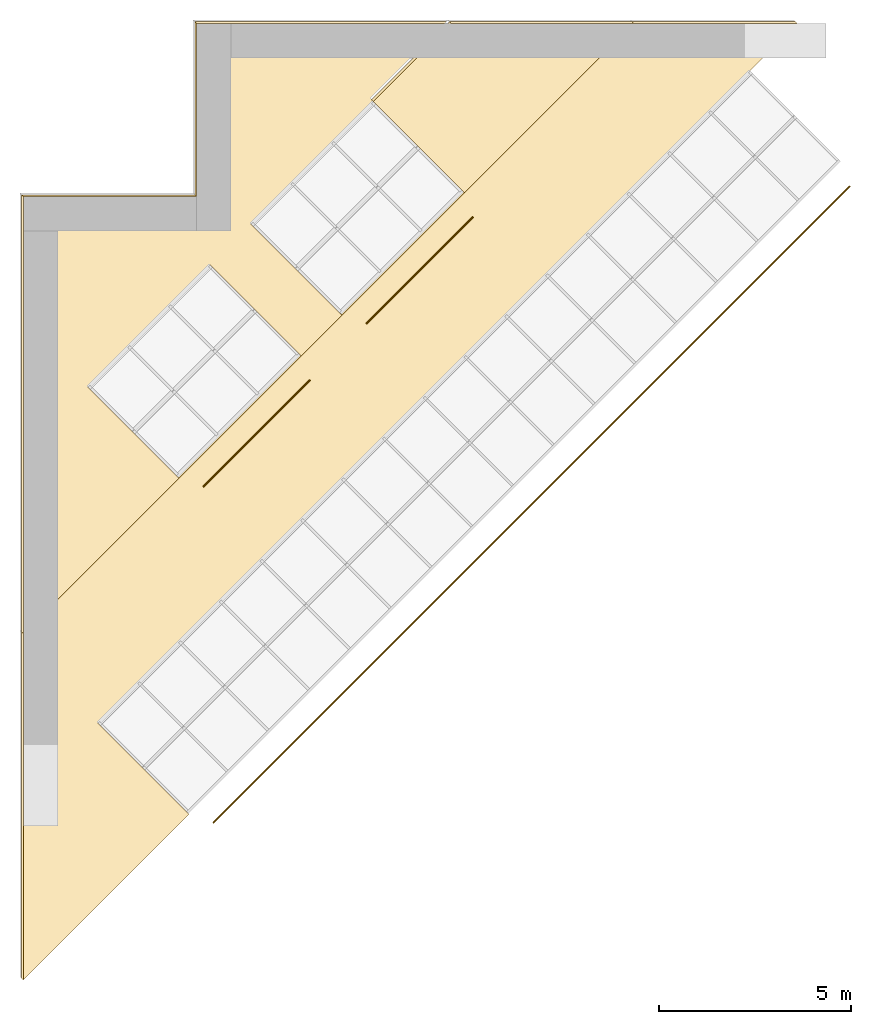
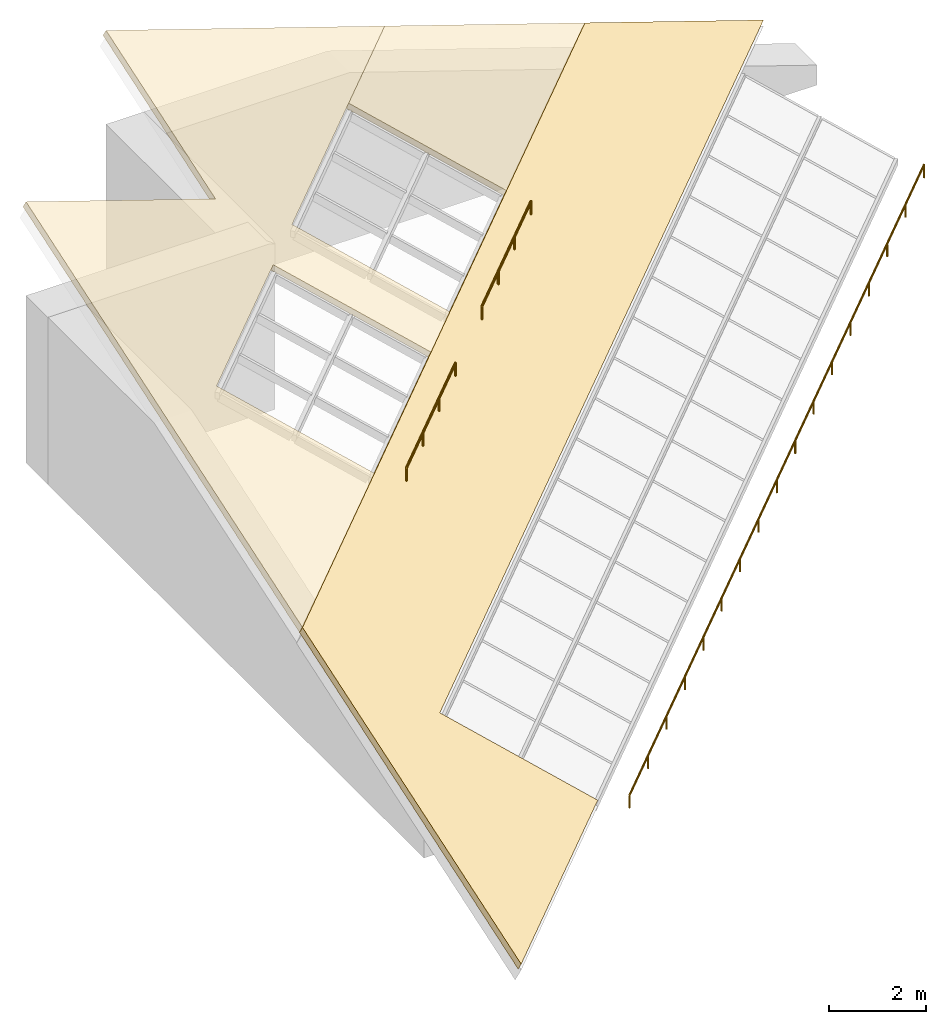
# One storey, part 3 of 3: 3 coverings, 3 railings.
"""IFC4 building model written with IfcOpenShell, lengths in metres."""

from ifc_helpers import new_model, si_unit, direction, frame, origin, origin_2d, place, context, subcontext, project, spatial, polyline, circle, outline, extrude, material, layer, layer_set, type_object, element, save


model = new_model("IFC4")

# Units and contexts
model_context = context("Model", 3, precision=1e-05, world=origin(), true_north=direction((0.0, 1.0)))
body_context = subcontext(model_context, "Body", "Model", "MODEL_VIEW")
ifc_project = project(units=[si_unit("LENGTHUNIT", "METRE"), si_unit("AREAUNIT", "SQUARE_METRE"), si_unit("VOLUMEUNIT", "CUBIC_METRE"), si_unit("PLANEANGLEUNIT", "RADIAN"), si_unit("MASSUNIT", "GRAM", prefix="KILO")], contexts=[model_context])

# Site, building, storey
site_placement = place(None, origin())
site = spatial("IfcSite", under=ifc_project, at=site_placement, CompositionType="ELEMENT")
building_placement = place(site_placement, origin())
building = spatial("IfcBuilding", under=site, at=building_placement, Name="Hunhe Ridgeline Campus", CompositionType="ELEMENT")
storey_placement = place(building_placement, frame((0.0, 0.0, 328.199951171875)))
storey = spatial("IfcBuildingStorey", under=building, at=storey_placement, Name="L84 Crown", CompositionType="ELEMENT", Elevation=328.199951171875)

# Coverings
ifc_material_1 = material(Name="Bituminous roofing membrane on mineral wool")
ifc_layer = layer(ifc_material_1, 0.14990234375)
ifc_layer_set = layer_set([ifc_layer], Name="Roof insulation and membrane 150")
covering_type = type_object("IfcCoveringType", Name="Roof insulation and membrane 150", PredefinedType="ROOFING", material=ifc_layer_set)
covering_1_placement = place(storey_placement, frame((4.30517578125, 78.426513671875, -0.23486328125), z_axis=(0.301524476923, -0.301520844475, 0.904526489476), x_axis=(-0.639596814405, 0.639596814541, 0.426417436125)))
element("IfcCovering", 1, at=covering_1_placement, inside=storey, type_object=covering_type, Name="Roof insulation and membrane 10", PredefinedType="ROOFING", context=body_context, shape_type="SweptSolid", body=[
    extrude(outline(polyline([(0.0, 0.0), (3.7189367125139263, 2.9720014426901087e-16), (3.7189367149914503, -25.731367175065824), (7.035623640822651, -22.731342359420218), (7.035623638660509, -0.27552305207638894), (-5.86220405551785e-10, 6.088437978223851), (0.0, 0.0)])), origin(), (0.0, 0.0, -1.0), 0.14990234375),
])
covering_2_placement = place(storey_placement, frame((11.121337890625, 99.0, 4.35107421875), z_axis=(0.301536663699, -0.301536663699, 0.904517153453), x_axis=(-0.707106781187, -0.707106781187, 0.0)))
element("IfcCovering", 2, at=covering_2_placement, inside=storey, type_object=covering_type, Name="Roof insulation and membrane 11", PredefinedType="ROOFING", context=body_context, shape_type="SweptSolid", body=[
    extrude(outline(polyline([(0.0, 0.0), (2.867442293825331, 0.0), (2.867442293825331, 3.7190408192246154), (-3.3639362153811194, 3.719040819224616), (0.0, 0.0)])), origin(), (0.0, 0.0, -1.0), 0.14990234375),
])
covering_3_placement = place(storey_placement, frame((0.0, 83.121337890625, 2.76513671875), z_axis=(0.301525980261, -0.301528258175, 0.904523516969), x_axis=(0.707107266864, 0.707106295507, 1.456942e-06)))
element("IfcCovering", 3, at=covering_3_placement, inside=storey, type_object=covering_type, Name="Roof insulation and membrane 12", PredefinedType="ROOFING", context=body_context, shape_type="SweptSolid", body=[
    extrude(outline(polyline([(0.0, 0.0), (5.724181311170197, 0.0), (5.724181311259591, 3.7190408188105217), (10.224391167691966, 3.7190408188105217), (10.224391167602572, 0.0), (11.724230941758032, 0.0), (11.724230941847425, 3.7190408188105213), (19.09188309210141, 3.7190408188105217), (14.409890169150621, 8.895248154359333), (11.227909653599333, 5.377332228202923), (8.045929138479949, 8.895248154359333), (0.0, 0.0)])), origin(), (0.0, 0.0, -1.0), 0.14990234375),
])

# Railings
ifc_material_2 = material(Name="Steel Q355", Category="steel")
railing_type = type_object("IfcRailingType", Name="Snow guard 350 Steel Q355", PredefinedType="USERDEFINED", material=ifc_material_2)
railing_1_placement = place(storey_placement, frame((21.48779296875, 94.760498046875, -0.517822265625)))
element("IfcRailing", 4, at=railing_1_placement, inside=storey, type_object=railing_type, Name="Snow guard 7", ObjectType="SNOW GUARD", PredefinedType="USERDEFINED", context=body_context, shape_type="SweptSolid", body=[
    extrude(circle(Radius=0.02392578125, at=origin_2d()), frame((0.0, 0.0, 0.326171875), z_axis=(-0.707111997858, -0.707101564477, 0.0), x_axis=(0.707101564477, -0.707111997858, 0.0)), (0.0, 0.0, 1.0), 23.39990234375),
    extrude(circle(Radius=0.02099609375, at=origin_2d()), origin(), (0.0, 0.0, 1.0), 0.302001953125),
    extrude(circle(Radius=0.02099609375, at=origin_2d()), frame((-1.0341796875, -1.0341796875, 0.0)), (0.0, 0.0, 1.0), 0.302001953125),
    extrude(circle(Radius=0.02099609375, at=origin_2d()), frame((-2.068359375, -2.068359375, 0.0)), (0.0, 0.0, 1.0), 0.302001953125),
    extrude(circle(Radius=0.02099609375, at=origin_2d()), frame((-3.1025390625, -3.102294921875, 0.0)), (0.0, 0.0, 1.0), 0.302001953125),
    extrude(circle(Radius=0.02099609375, at=origin_2d()), frame((-4.13671875, -4.136474609375, 0.0)), (0.0, 0.0, 1.0), 0.302001953125),
    extrude(circle(Radius=0.02099609375, at=origin_2d()), frame((-5.170654296875, -5.170654296875, 0.0)), (0.0, 0.0, 1.0), 0.302001953125),
    extrude(circle(Radius=0.02099609375, at=origin_2d()), frame((-6.204833984375, -6.204833984375, 0.0)), (0.0, 0.0, 1.0), 0.302001953125),
    extrude(circle(Radius=0.02099609375, at=origin_2d()), frame((-7.239013671875, -7.239013671875, 0.0)), (0.0, 0.0, 1.0), 0.302001953125),
    extrude(circle(Radius=0.02099609375, at=origin_2d()), frame((-8.273193359375, -8.27294921875, 0.0)), (0.0, 0.0, 1.0), 0.302001953125),
    extrude(circle(Radius=0.02099609375, at=origin_2d()), frame((-9.307373046875, -9.30712890625, 0.0)), (0.0, 0.0, 1.0), 0.302001953125),
    extrude(circle(Radius=0.02099609375, at=origin_2d()), frame((-10.341552734375, -10.34130859375, 0.0)), (0.0, 0.0, 1.0), 0.302001953125),
    extrude(circle(Radius=0.02099609375, at=origin_2d()), frame((-11.375732421875, -11.37548828125, 0.0)), (0.0, 0.0, 1.0), 0.302001953125),
    extrude(circle(Radius=0.02099609375, at=origin_2d()), frame((-12.40966796875, -12.40966796875, 0.0)), (0.0, 0.0, 1.0), 0.302001953125),
    extrude(circle(Radius=0.02099609375, at=origin_2d()), frame((-13.44384765625, -13.44384765625, 0.0)), (0.0, 0.0, 1.0), 0.302001953125),
    extrude(circle(Radius=0.02099609375, at=origin_2d()), frame((-14.47802734375, -14.477783203125, 0.0)), (0.0, 0.0, 1.0), 0.302001953125),
    extrude(circle(Radius=0.02099609375, at=origin_2d()), frame((-15.51220703125, -15.511962890625, 0.0)), (0.0, 0.0, 1.0), 0.302001953125),
    extrude(circle(Radius=0.02099609375, at=origin_2d()), frame((-16.54638671875, -16.546142578125, 0.0)), (0.0, 0.0, 1.0), 0.302001953125),
])
railing_2_placement = place(storey_placement, frame((11.6845703125, 93.957275390625, 2.482421875)))
element("IfcRailing", 5, at=railing_2_placement, inside=storey, type_object=railing_type, Name="Snow guard 8", ObjectType="SNOW GUARD", PredefinedType="USERDEFINED", context=body_context, shape_type="SweptSolid", body=[
    extrude(circle(Radius=0.02392578125, at=origin_2d()), frame((0.0, 0.0, 0.326171875), z_axis=(-0.707138080869, -0.707075480118, 0.0), x_axis=(0.707075480118, -0.707138080869, 0.0)), (0.0, 0.0, 1.0), 3.89990234375),
    extrude(circle(Radius=0.02099609375, at=origin_2d()), origin(), (0.0, 0.0, 1.0), 0.302001953125),
    extrude(circle(Radius=0.02099609375, at=origin_2d()), frame((-0.919189453125, -0.919189453125, 0.0)), (0.0, 0.0, 1.0), 0.302001953125),
    extrude(circle(Radius=0.02099609375, at=origin_2d()), frame((-1.838623046875, -1.83837890625, 0.0)), (0.0, 0.0, 1.0), 0.302001953125),
    extrude(circle(Radius=0.02099609375, at=origin_2d()), frame((-2.7578125, -2.757568359375, 0.0)), (0.0, 0.0, 1.0), 0.302001953125),
])
railing_3_placement = place(storey_placement, frame((7.44189453125, 89.714599609375, 2.482421875)))
element("IfcRailing", 6, at=railing_3_placement, inside=storey, type_object=railing_type, Name="Snow guard 9", ObjectType="SNOW GUARD", PredefinedType="USERDEFINED", context=body_context, shape_type="SweptSolid", body=[
    extrude(circle(Radius=0.02392578125, at=origin_2d()), frame((0.0, 0.0, 0.326171875), z_axis=(-0.707106781187, -0.707106781187, 0.0), x_axis=(0.707106781187, -0.707106781187, 0.0)), (0.0, 0.0, 1.0), 3.900146484375),
    extrude(circle(Radius=0.02099609375, at=origin_2d()), origin(), (0.0, 0.0, 1.0), 0.302001953125),
    extrude(circle(Radius=0.02099609375, at=origin_2d()), frame((-0.919189453125, -0.919189453125, 0.0)), (0.0, 0.0, 1.0), 0.302001953125),
    extrude(circle(Radius=0.02099609375, at=origin_2d()), frame((-1.838623046875, -1.838623046875, 0.0)), (0.0, 0.0, 1.0), 0.302001953125),
    extrude(circle(Radius=0.02099609375, at=origin_2d()), frame((-2.7578125, -2.7578125, 0.0)), (0.0, 0.0, 1.0), 0.302001953125),
])

save(model, "model.ifc")
